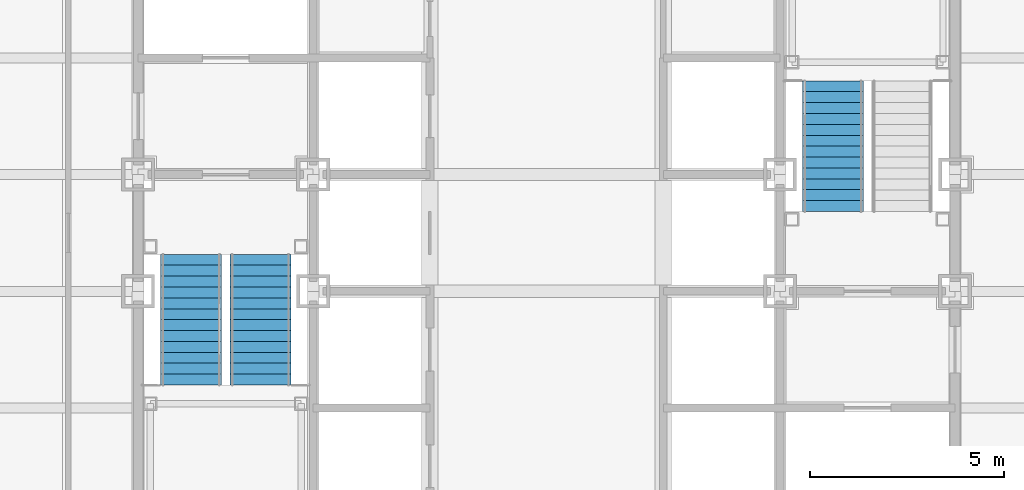
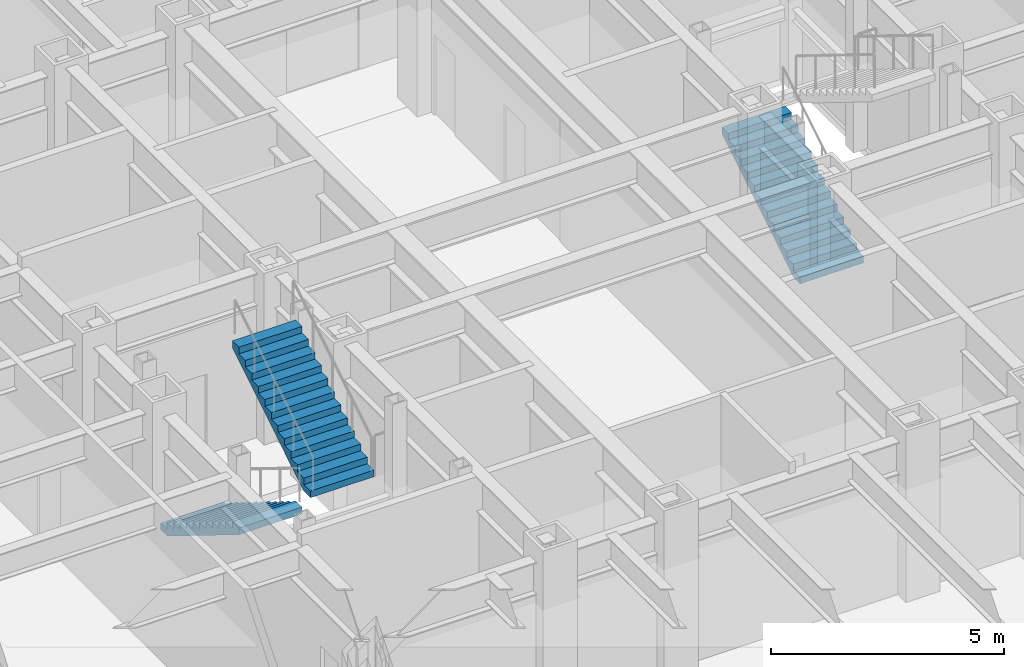
# One storey, part 12 of 16: 3 stair flights, 2 elements without a shape of their own.
"""IFC4 building model written with IfcOpenShell, lengths in metres."""

from ifc_helpers import new_model, si_unit, direction, frame, origin, place, context, subcontext, project, spatial, faceted_brep, material, type_object, element, aggregate, save


model = new_model("IFC4")

# Units and contexts
model_context = context("Model", 3, precision=1e-05, world=origin(), true_north=direction((0.0, 1.0)))
body_context = subcontext(model_context, "Body", "Model", "MODEL_VIEW")
ifc_project = project(units=[si_unit("LENGTHUNIT", "METRE"), si_unit("AREAUNIT", "SQUARE_METRE"), si_unit("VOLUMEUNIT", "CUBIC_METRE"), si_unit("PLANEANGLEUNIT", "RADIAN"), si_unit("MASSUNIT", "GRAM", prefix="KILO")], contexts=[model_context])

# Site, building, storey
site_placement = place(None, origin())
site = spatial("IfcSite", under=ifc_project, at=site_placement, CompositionType="ELEMENT")
building_placement = place(site_placement, origin())
building = spatial("IfcBuilding", under=site, at=building_placement, Name="Chuquiago Exchange Tower", CompositionType="ELEMENT")
storey_placement = place(building_placement, frame((0.0, 0.0, 28.800048828125)))
storey = spatial("IfcBuildingStorey", under=building, at=storey_placement, Name="L05", CompositionType="ELEMENT", Elevation=28.800048828125)

# Stair, stair flights
ifc_material_1 = material(Name="Concrete C30/37, precast", Category="concrete")
stair_type_1 = type_object("IfcStairType", Name="ST1 half-turn stair 4500", PredefinedType="HALF_TURN_STAIR", material=ifc_material_1)
stair_1_placement = place(storey_placement, origin())
stair_1 = element("IfcStair", 1, at=stair_1_placement, inside=storey, type_object=stair_type_1, Name="Stair ST1 L05", PredefinedType="HALF_TURN_STAIR")
ifc_material_2 = material(Name="Concrete C30/37, precast", Category="concrete")
stair_flight_type = type_object("IfcStairFlightType", Name="ST-F flight 1570 for 4500 storey", PredefinedType="STRAIGHT", material=ifc_material_2)
stair_flight_1_placement = place(storey_placement, frame((13.360107421875, 21.949951171875, 0.0), z_axis=(0.0, 0.0, 1.0), x_axis=(0.0, -1.0, 0.0)))
stair_flight_1 = element("IfcStairFlight", 2, at=stair_flight_1_placement, type_object=stair_flight_type, Name="ST1 flight 1", NumberOfRisers=13, NumberOfTreads=12, PredefinedType="STRAIGHT", RiserHeight=0.173076923, TreadLength=0.28, context=body_context, shape_type="Brep", body=[
    faceted_brep([(0.0, 0.78515625, 0.0), (0.0, 0.78515625, 0.173095703125), (0.280029296875, 0.78515625, 0.173095703125), (0.280029296875, 0.78515625, 0.34619140625), (0.56005859375, 0.78515625, 0.34619140625), (0.56005859375, 0.78515625, 0.519287109375), (0.840087890625, 0.78515625, 0.519287109375), (0.840087890625, 0.78515625, 0.6923828125), (1.1201171875, 0.78515625, 0.6923828125), (1.1201171875, 0.78515625, 0.865478515625), (1.39990234375, 0.78515625, 0.865478515625), (1.39990234375, 0.78515625, 1.03857421875), (1.679931640625, 0.78515625, 1.03857421875), (1.679931640625, 0.78515625, 1.21142578125), (1.9599609375, 0.78515625, 1.21142578125), (1.9599609375, 0.78515625, 1.384521484375), (2.239990234375, 0.78515625, 1.384521484375), (2.239990234375, 0.78515625, 1.5576171875), (2.52001953125, 0.78515625, 1.5576171875), (2.52001953125, 0.78515625, 1.730712890625), (2.800048828125, 0.78515625, 1.730712890625), (2.800048828125, 0.78515625, 1.90380859375), (3.080078125, 0.78515625, 1.90380859375), (3.080078125, 0.78515625, 2.076904296875), (3.360107421875, 0.78515625, 2.076904296875), (3.360107421875, 0.78515625, 1.900634765625), (0.28515625, 0.78515625, 0.0), (0.28515625, -0.78515625, 0.0), (3.360107421875, -0.78515625, 1.900634765625), (3.360107421875, -0.78515625, 2.076904296875), (3.080078125, -0.78515625, 2.076904296875), (3.080078125, -0.78515625, 1.90380859375), (2.800048828125, -0.78515625, 1.90380859375), (2.800048828125, -0.78515625, 1.730712890625), (2.52001953125, -0.78515625, 1.730712890625), (2.52001953125, -0.78515625, 1.5576171875), (2.239990234375, -0.78515625, 1.5576171875), (2.239990234375, -0.78515625, 1.384521484375), (1.9599609375, -0.78515625, 1.384521484375), (1.9599609375, -0.78515625, 1.21142578125), (1.679931640625, -0.78515625, 1.21142578125), (1.679931640625, -0.78515625, 1.03857421875), (1.39990234375, -0.78515625, 1.03857421875), (1.39990234375, -0.78515625, 0.865478515625), (1.1201171875, -0.78515625, 0.865478515625), (1.1201171875, -0.78515625, 0.6923828125), (0.840087890625, -0.78515625, 0.6923828125), (0.840087890625, -0.78515625, 0.519287109375), (0.56005859375, -0.78515625, 0.519287109375), (0.56005859375, -0.78515625, 0.34619140625), (0.280029296875, -0.78515625, 0.34619140625), (0.280029296875, -0.78515625, 0.173095703125), (0.0, -0.78515625, 0.173095703125), (0.0, -0.78515625, 0.0), (0.0, 0.392578125, 0.0), (0.0, 0.392578125, 0.173095703125), (0.0, 0.0, 0.0), (0.0, 0.0, 0.173095703125), (0.0, -0.392578125, 0.0), (0.0, -0.392578125, 0.173095703125), (0.280029296875, 0.392578125, 0.173095703125), (0.280029296875, 0.0, 0.173095703125), (0.280029296875, -0.392578125, 0.173095703125), (0.280029296875, 0.392578125, 0.34619140625), (0.280029296875, 0.0, 0.34619140625), (0.280029296875, -0.392578125, 0.34619140625), (0.56005859375, 0.392578125, 0.34619140625), (0.56005859375, 0.0, 0.34619140625), (0.56005859375, -0.392578125, 0.34619140625), (0.56005859375, 0.392578125, 0.519287109375), (0.56005859375, 0.0, 0.519287109375), (0.56005859375, -0.392578125, 0.519287109375), (0.840087890625, 0.392578125, 0.519287109375), (0.840087890625, 0.0, 0.519287109375), (0.840087890625, -0.392578125, 0.519287109375), (0.840087890625, 0.392578125, 0.6923828125), (0.840087890625, 0.0, 0.6923828125), (0.840087890625, -0.392578125, 0.6923828125), (1.1201171875, 0.392578125, 0.6923828125), (1.1201171875, 0.0, 0.6923828125), (1.1201171875, -0.392578125, 0.6923828125), (1.1201171875, 0.392578125, 0.865478515625), (1.1201171875, 0.0, 0.865478515625), (1.1201171875, -0.392578125, 0.865478515625), (1.39990234375, 0.392578125, 0.865478515625), (1.39990234375, 0.0, 0.865478515625), (1.39990234375, -0.392578125, 0.865478515625), (1.39990234375, 0.392578125, 1.03857421875), (1.39990234375, 0.0, 1.03857421875), (1.39990234375, -0.392578125, 1.03857421875), (1.679931640625, 0.392578125, 1.03857421875), (1.679931640625, 0.0, 1.03857421875), (1.679931640625, -0.392578125, 1.03857421875), (1.679931640625, 0.392578125, 1.21142578125), (1.679931640625, 0.0, 1.21142578125), (1.679931640625, -0.392578125, 1.21142578125), (1.9599609375, 0.392578125, 1.21142578125), (1.9599609375, 0.0, 1.21142578125), (1.9599609375, -0.392578125, 1.21142578125), (1.9599609375, 0.392578125, 1.384521484375), (1.9599609375, 0.0, 1.384521484375), (1.9599609375, -0.392578125, 1.384521484375), (2.239990234375, 0.392578125, 1.384521484375), (2.239990234375, 0.0, 1.384521484375), (2.239990234375, -0.392578125, 1.384521484375), (2.239990234375, 0.392578125, 1.5576171875), (2.239990234375, 0.0, 1.5576171875), (2.239990234375, -0.392578125, 1.5576171875), (2.52001953125, 0.392578125, 1.5576171875), (2.52001953125, 0.0, 1.5576171875), (2.52001953125, -0.392578125, 1.5576171875), (2.52001953125, 0.392578125, 1.730712890625), (2.52001953125, 0.0, 1.730712890625), (2.52001953125, -0.392578125, 1.730712890625), (2.800048828125, 0.392578125, 1.730712890625), (2.800048828125, 0.0, 1.730712890625), (2.800048828125, -0.392578125, 1.730712890625), (2.800048828125, 0.392578125, 1.90380859375), (2.800048828125, 0.0, 1.90380859375), (2.800048828125, -0.392578125, 1.90380859375), (3.080078125, 0.392578125, 1.90380859375), (3.080078125, 0.0, 1.90380859375), (3.080078125, -0.392578125, 1.90380859375), (3.080078125, 0.392578125, 2.076904296875), (3.080078125, 0.0, 2.076904296875), (3.080078125, -0.392578125, 2.076904296875), (3.360107421875, 0.392578125, 2.076904296875), (3.360107421875, 0.0, 2.076904296875), (3.360107421875, -0.392578125, 2.076904296875), (3.360107421875, 0.392578125, 1.900634765625), (3.360107421875, 0.0, 1.900634765625), (3.360107421875, -0.392578125, 1.900634765625), (0.28515625, 0.392578125, 0.0), (0.28515625, 0.0, 0.0), (0.28515625, -0.392578125, 0.0)], [[[0, 1, 2, 3, 4, 5, 6, 7, 8, 9, 10, 11, 12, 13, 14, 15, 16, 17, 18, 19, 20, 21, 22, 23, 24, 25, 26]], [[27, 28, 29, 30, 31, 32, 33, 34, 35, 36, 37, 38, 39, 40, 41, 42, 43, 44, 45, 46, 47, 48, 49, 50, 51, 52, 53]], [[1, 0, 54, 55]], [[55, 54, 56, 57]], [[57, 56, 58, 59]], [[59, 58, 53, 52]], [[2, 1, 55, 60]], [[60, 55, 57, 61]], [[61, 57, 59, 62]], [[62, 59, 52, 51]], [[3, 2, 60, 63]], [[63, 60, 61, 64]], [[64, 61, 62, 65]], [[65, 62, 51, 50]], [[4, 3, 63, 66]], [[66, 63, 64, 67]], [[67, 64, 65, 68]], [[68, 65, 50, 49]], [[5, 4, 66, 69]], [[69, 66, 67, 70]], [[70, 67, 68, 71]], [[71, 68, 49, 48]], [[6, 5, 69, 72]], [[72, 69, 70, 73]], [[73, 70, 71, 74]], [[74, 71, 48, 47]], [[7, 6, 72, 75]], [[75, 72, 73, 76]], [[76, 73, 74, 77]], [[77, 74, 47, 46]], [[8, 7, 75, 78]], [[78, 75, 76, 79]], [[79, 76, 77, 80]], [[80, 77, 46, 45]], [[9, 8, 78, 81]], [[81, 78, 79, 82]], [[82, 79, 80, 83]], [[83, 80, 45, 44]], [[10, 9, 81, 84]], [[84, 81, 82, 85]], [[85, 82, 83, 86]], [[86, 83, 44, 43]], [[11, 10, 84, 87]], [[87, 84, 85, 88]], [[88, 85, 86, 89]], [[89, 86, 43, 42]], [[12, 11, 87, 90]], [[90, 87, 88, 91]], [[91, 88, 89, 92]], [[92, 89, 42, 41]], [[13, 12, 90, 93]], [[93, 90, 91, 94]], [[94, 91, 92, 95]], [[95, 92, 41, 40]], [[14, 13, 93, 96]], [[96, 93, 94, 97]], [[97, 94, 95, 98]], [[98, 95, 40, 39]], [[15, 14, 96, 99]], [[99, 96, 97, 100]], [[100, 97, 98, 101]], [[101, 98, 39, 38]], [[16, 15, 99, 102]], [[102, 99, 100, 103]], [[103, 100, 101, 104]], [[104, 101, 38, 37]], [[17, 16, 102, 105]], [[105, 102, 103, 106]], [[106, 103, 104, 107]], [[107, 104, 37, 36]], [[18, 17, 105, 108]], [[108, 105, 106, 109]], [[109, 106, 107, 110]], [[110, 107, 36, 35]], [[19, 18, 108, 111]], [[111, 108, 109, 112]], [[112, 109, 110, 113]], [[113, 110, 35, 34]], [[20, 19, 111, 114]], [[114, 111, 112, 115]], [[115, 112, 113, 116]], [[116, 113, 34, 33]], [[21, 20, 114, 117]], [[117, 114, 115, 118]], [[118, 115, 116, 119]], [[119, 116, 33, 32]], [[22, 21, 117, 120]], [[120, 117, 118, 121]], [[121, 118, 119, 122]], [[122, 119, 32, 31]], [[23, 22, 120, 123]], [[123, 120, 121, 124]], [[124, 121, 122, 125]], [[125, 122, 31, 30]], [[24, 23, 123, 126]], [[126, 123, 124, 127]], [[127, 124, 125, 128]], [[128, 125, 30, 29]], [[25, 24, 126, 129]], [[129, 126, 127, 130]], [[130, 127, 128, 131]], [[131, 128, 29, 28]], [[26, 25, 129, 132]], [[132, 129, 130, 133]], [[133, 130, 131, 134]], [[134, 131, 28, 27]], [[0, 26, 132, 54]], [[54, 132, 133, 56]], [[56, 133, 134, 58]], [[58, 134, 27, 53]]]),
])
stair_flight_2_placement = place(storey_placement, frame((15.139892578125, 18.590087890625, 2.25), z_axis=(0.0, 0.0, 1.0), x_axis=(0.0, 1.0, 0.0)))
stair_flight_2 = element("IfcStairFlight", 3, at=stair_flight_2_placement, type_object=stair_flight_type, Name="ST1 flight 2", NumberOfRisers=13, NumberOfTreads=12, PredefinedType="STRAIGHT", RiserHeight=0.173076923, TreadLength=0.28, context=body_context, shape_type="Brep", body=[
    faceted_brep([(0.0, 0.78515625, 0.0), (0.0, 0.78515625, 0.173095703125), (0.280029296875, 0.78515625, 0.173095703125), (0.280029296875, 0.78515625, 0.34619140625), (0.56005859375, 0.78515625, 0.34619140625), (0.56005859375, 0.78515625, 0.519287109375), (0.840087890625, 0.78515625, 0.519287109375), (0.840087890625, 0.78515625, 0.6923828125), (1.1201171875, 0.78515625, 0.6923828125), (1.1201171875, 0.78515625, 0.865478515625), (1.39990234375, 0.78515625, 0.865478515625), (1.39990234375, 0.78515625, 1.03857421875), (1.679931640625, 0.78515625, 1.03857421875), (1.679931640625, 0.78515625, 1.21142578125), (1.9599609375, 0.78515625, 1.21142578125), (1.9599609375, 0.78515625, 1.384521484375), (2.239990234375, 0.78515625, 1.384521484375), (2.239990234375, 0.78515625, 1.5576171875), (2.52001953125, 0.78515625, 1.5576171875), (2.52001953125, 0.78515625, 1.730712890625), (2.800048828125, 0.78515625, 1.730712890625), (2.800048828125, 0.78515625, 1.90380859375), (3.080078125, 0.78515625, 1.90380859375), (3.080078125, 0.78515625, 2.076904296875), (3.360107421875, 0.78515625, 2.076904296875), (3.360107421875, 0.78515625, 1.900634765625), (0.28515625, 0.78515625, 0.0), (0.28515625, -0.78515625, 0.0), (3.360107421875, -0.78515625, 1.900634765625), (3.360107421875, -0.78515625, 2.076904296875), (3.080078125, -0.78515625, 2.076904296875), (3.080078125, -0.78515625, 1.90380859375), (2.800048828125, -0.78515625, 1.90380859375), (2.800048828125, -0.78515625, 1.730712890625), (2.52001953125, -0.78515625, 1.730712890625), (2.52001953125, -0.78515625, 1.5576171875), (2.239990234375, -0.78515625, 1.5576171875), (2.239990234375, -0.78515625, 1.384521484375), (1.9599609375, -0.78515625, 1.384521484375), (1.9599609375, -0.78515625, 1.21142578125), (1.679931640625, -0.78515625, 1.21142578125), (1.679931640625, -0.78515625, 1.03857421875), (1.39990234375, -0.78515625, 1.03857421875), (1.39990234375, -0.78515625, 0.865478515625), (1.1201171875, -0.78515625, 0.865478515625), (1.1201171875, -0.78515625, 0.6923828125), (0.840087890625, -0.78515625, 0.6923828125), (0.840087890625, -0.78515625, 0.519287109375), (0.56005859375, -0.78515625, 0.519287109375), (0.56005859375, -0.78515625, 0.34619140625), (0.280029296875, -0.78515625, 0.34619140625), (0.280029296875, -0.78515625, 0.173095703125), (0.0, -0.78515625, 0.173095703125), (0.0, -0.78515625, 0.0), (0.0, 0.392578125, 0.0), (0.0, 0.392578125, 0.173095703125), (0.0, 0.0, 0.0), (0.0, 0.0, 0.173095703125), (0.0, -0.392578125, 0.0), (0.0, -0.392578125, 0.173095703125), (0.280029296875, 0.392578125, 0.173095703125), (0.280029296875, 0.0, 0.173095703125), (0.280029296875, -0.392578125, 0.173095703125), (0.280029296875, 0.392578125, 0.34619140625), (0.280029296875, 0.0, 0.34619140625), (0.280029296875, -0.392578125, 0.34619140625), (0.56005859375, 0.392578125, 0.34619140625), (0.56005859375, 0.0, 0.34619140625), (0.56005859375, -0.392578125, 0.34619140625), (0.56005859375, 0.392578125, 0.519287109375), (0.56005859375, 0.0, 0.519287109375), (0.56005859375, -0.392578125, 0.519287109375), (0.840087890625, 0.392578125, 0.519287109375), (0.840087890625, 0.0, 0.519287109375), (0.840087890625, -0.392578125, 0.519287109375), (0.840087890625, 0.392578125, 0.6923828125), (0.840087890625, 0.0, 0.6923828125), (0.840087890625, -0.392578125, 0.6923828125), (1.1201171875, 0.392578125, 0.6923828125), (1.1201171875, 0.0, 0.6923828125), (1.1201171875, -0.392578125, 0.6923828125), (1.1201171875, 0.392578125, 0.865478515625), (1.1201171875, 0.0, 0.865478515625), (1.1201171875, -0.392578125, 0.865478515625), (1.39990234375, 0.392578125, 0.865478515625), (1.39990234375, 0.0, 0.865478515625), (1.39990234375, -0.392578125, 0.865478515625), (1.39990234375, 0.392578125, 1.03857421875), (1.39990234375, 0.0, 1.03857421875), (1.39990234375, -0.392578125, 1.03857421875), (1.679931640625, 0.392578125, 1.03857421875), (1.679931640625, 0.0, 1.03857421875), (1.679931640625, -0.392578125, 1.03857421875), (1.679931640625, 0.392578125, 1.21142578125), (1.679931640625, 0.0, 1.21142578125), (1.679931640625, -0.392578125, 1.21142578125), (1.9599609375, 0.392578125, 1.21142578125), (1.9599609375, 0.0, 1.21142578125), (1.9599609375, -0.392578125, 1.21142578125), (1.9599609375, 0.392578125, 1.384521484375), (1.9599609375, 0.0, 1.384521484375), (1.9599609375, -0.392578125, 1.384521484375), (2.239990234375, 0.392578125, 1.384521484375), (2.239990234375, 0.0, 1.384521484375), (2.239990234375, -0.392578125, 1.384521484375), (2.239990234375, 0.392578125, 1.5576171875), (2.239990234375, 0.0, 1.5576171875), (2.239990234375, -0.392578125, 1.5576171875), (2.52001953125, 0.392578125, 1.5576171875), (2.52001953125, 0.0, 1.5576171875), (2.52001953125, -0.392578125, 1.5576171875), (2.52001953125, 0.392578125, 1.730712890625), (2.52001953125, 0.0, 1.730712890625), (2.52001953125, -0.392578125, 1.730712890625), (2.800048828125, 0.392578125, 1.730712890625), (2.800048828125, 0.0, 1.730712890625), (2.800048828125, -0.392578125, 1.730712890625), (2.800048828125, 0.392578125, 1.90380859375), (2.800048828125, 0.0, 1.90380859375), (2.800048828125, -0.392578125, 1.90380859375), (3.080078125, 0.392578125, 1.90380859375), (3.080078125, 0.0, 1.90380859375), (3.080078125, -0.392578125, 1.90380859375), (3.080078125, 0.392578125, 2.076904296875), (3.080078125, 0.0, 2.076904296875), (3.080078125, -0.392578125, 2.076904296875), (3.360107421875, 0.392578125, 2.076904296875), (3.360107421875, 0.0, 2.076904296875), (3.360107421875, -0.392578125, 2.076904296875), (3.360107421875, 0.392578125, 1.900634765625), (3.360107421875, 0.0, 1.900634765625), (3.360107421875, -0.392578125, 1.900634765625), (0.28515625, 0.392578125, 0.0), (0.28515625, 0.0, 0.0), (0.28515625, -0.392578125, 0.0)], [[[0, 1, 2, 3, 4, 5, 6, 7, 8, 9, 10, 11, 12, 13, 14, 15, 16, 17, 18, 19, 20, 21, 22, 23, 24, 25, 26]], [[27, 28, 29, 30, 31, 32, 33, 34, 35, 36, 37, 38, 39, 40, 41, 42, 43, 44, 45, 46, 47, 48, 49, 50, 51, 52, 53]], [[1, 0, 54, 55]], [[55, 54, 56, 57]], [[57, 56, 58, 59]], [[59, 58, 53, 52]], [[2, 1, 55, 60]], [[60, 55, 57, 61]], [[61, 57, 59, 62]], [[62, 59, 52, 51]], [[3, 2, 60, 63]], [[63, 60, 61, 64]], [[64, 61, 62, 65]], [[65, 62, 51, 50]], [[4, 3, 63, 66]], [[66, 63, 64, 67]], [[67, 64, 65, 68]], [[68, 65, 50, 49]], [[5, 4, 66, 69]], [[69, 66, 67, 70]], [[70, 67, 68, 71]], [[71, 68, 49, 48]], [[6, 5, 69, 72]], [[72, 69, 70, 73]], [[73, 70, 71, 74]], [[74, 71, 48, 47]], [[7, 6, 72, 75]], [[75, 72, 73, 76]], [[76, 73, 74, 77]], [[77, 74, 47, 46]], [[8, 7, 75, 78]], [[78, 75, 76, 79]], [[79, 76, 77, 80]], [[80, 77, 46, 45]], [[9, 8, 78, 81]], [[81, 78, 79, 82]], [[82, 79, 80, 83]], [[83, 80, 45, 44]], [[10, 9, 81, 84]], [[84, 81, 82, 85]], [[85, 82, 83, 86]], [[86, 83, 44, 43]], [[11, 10, 84, 87]], [[87, 84, 85, 88]], [[88, 85, 86, 89]], [[89, 86, 43, 42]], [[12, 11, 87, 90]], [[90, 87, 88, 91]], [[91, 88, 89, 92]], [[92, 89, 42, 41]], [[13, 12, 90, 93]], [[93, 90, 91, 94]], [[94, 91, 92, 95]], [[95, 92, 41, 40]], [[14, 13, 93, 96]], [[96, 93, 94, 97]], [[97, 94, 95, 98]], [[98, 95, 40, 39]], [[15, 14, 96, 99]], [[99, 96, 97, 100]], [[100, 97, 98, 101]], [[101, 98, 39, 38]], [[16, 15, 99, 102]], [[102, 99, 100, 103]], [[103, 100, 101, 104]], [[104, 101, 38, 37]], [[17, 16, 102, 105]], [[105, 102, 103, 106]], [[106, 103, 104, 107]], [[107, 104, 37, 36]], [[18, 17, 105, 108]], [[108, 105, 106, 109]], [[109, 106, 107, 110]], [[110, 107, 36, 35]], [[19, 18, 108, 111]], [[111, 108, 109, 112]], [[112, 109, 110, 113]], [[113, 110, 35, 34]], [[20, 19, 111, 114]], [[114, 111, 112, 115]], [[115, 112, 113, 116]], [[116, 113, 34, 33]], [[21, 20, 114, 117]], [[117, 114, 115, 118]], [[118, 115, 116, 119]], [[119, 116, 33, 32]], [[22, 21, 117, 120]], [[120, 117, 118, 121]], [[121, 118, 119, 122]], [[122, 119, 32, 31]], [[23, 22, 120, 123]], [[123, 120, 121, 124]], [[124, 121, 122, 125]], [[125, 122, 31, 30]], [[24, 23, 123, 126]], [[126, 123, 124, 127]], [[127, 124, 125, 128]], [[128, 125, 30, 29]], [[25, 24, 126, 129]], [[129, 126, 127, 130]], [[130, 127, 128, 131]], [[131, 128, 29, 28]], [[26, 25, 129, 132]], [[132, 129, 130, 133]], [[133, 130, 131, 134]], [[134, 131, 28, 27]], [[0, 26, 132, 54]], [[54, 132, 133, 56]], [[56, 133, 134, 58]], [[58, 134, 27, 53]]]),
])
aggregate(stair_1, [stair_flight_1, stair_flight_2])

# Stair, stair flight
ifc_material_3 = material(Name="Concrete C30/37, precast", Category="concrete")
stair_type_2 = type_object("IfcStairType", Name="ST2 half-turn stair 4500", PredefinedType="HALF_TURN_STAIR", material=ifc_material_3)
stair_2_placement = place(storey_placement, origin())
stair_2 = element("IfcStair", 4, at=stair_2_placement, inside=storey, type_object=stair_type_2, Name="Stair ST2 L05", PredefinedType="HALF_TURN_STAIR")
stair_flight_3_placement = place(storey_placement, frame((29.860107421875, 23.050048828125, 0.0), z_axis=(0.0, 0.0, 1.0), x_axis=(0.0, 1.0, 0.0)))
stair_flight_3 = element("IfcStairFlight", 5, at=stair_flight_3_placement, type_object=stair_flight_type, Name="ST2 flight 1", NumberOfRisers=13, NumberOfTreads=12, PredefinedType="STRAIGHT", RiserHeight=0.173076923, TreadLength=0.28, context=body_context, shape_type="Brep", body=[
    faceted_brep([(0.0, 0.78515625, 0.0), (0.0, 0.78515625, 0.173095703125), (0.280029296875, 0.78515625, 0.173095703125), (0.280029296875, 0.78515625, 0.34619140625), (0.56005859375, 0.78515625, 0.34619140625), (0.56005859375, 0.78515625, 0.519287109375), (0.840087890625, 0.78515625, 0.519287109375), (0.840087890625, 0.78515625, 0.6923828125), (1.1201171875, 0.78515625, 0.6923828125), (1.1201171875, 0.78515625, 0.865478515625), (1.39990234375, 0.78515625, 0.865478515625), (1.39990234375, 0.78515625, 1.03857421875), (1.679931640625, 0.78515625, 1.03857421875), (1.679931640625, 0.78515625, 1.21142578125), (1.9599609375, 0.78515625, 1.21142578125), (1.9599609375, 0.78515625, 1.384521484375), (2.239990234375, 0.78515625, 1.384521484375), (2.239990234375, 0.78515625, 1.5576171875), (2.52001953125, 0.78515625, 1.5576171875), (2.52001953125, 0.78515625, 1.730712890625), (2.800048828125, 0.78515625, 1.730712890625), (2.800048828125, 0.78515625, 1.90380859375), (3.080078125, 0.78515625, 1.90380859375), (3.080078125, 0.78515625, 2.076904296875), (3.360107421875, 0.78515625, 2.076904296875), (3.360107421875, 0.78515625, 1.900634765625), (0.28515625, 0.78515625, 0.0), (0.28515625, -0.78515625, 0.0), (3.360107421875, -0.78515625, 1.900634765625), (3.360107421875, -0.78515625, 2.076904296875), (3.080078125, -0.78515625, 2.076904296875), (3.080078125, -0.78515625, 1.90380859375), (2.800048828125, -0.78515625, 1.90380859375), (2.800048828125, -0.78515625, 1.730712890625), (2.52001953125, -0.78515625, 1.730712890625), (2.52001953125, -0.78515625, 1.5576171875), (2.239990234375, -0.78515625, 1.5576171875), (2.239990234375, -0.78515625, 1.384521484375), (1.9599609375, -0.78515625, 1.384521484375), (1.9599609375, -0.78515625, 1.21142578125), (1.679931640625, -0.78515625, 1.21142578125), (1.679931640625, -0.78515625, 1.03857421875), (1.39990234375, -0.78515625, 1.03857421875), (1.39990234375, -0.78515625, 0.865478515625), (1.1201171875, -0.78515625, 0.865478515625), (1.1201171875, -0.78515625, 0.6923828125), (0.840087890625, -0.78515625, 0.6923828125), (0.840087890625, -0.78515625, 0.519287109375), (0.56005859375, -0.78515625, 0.519287109375), (0.56005859375, -0.78515625, 0.34619140625), (0.280029296875, -0.78515625, 0.34619140625), (0.280029296875, -0.78515625, 0.173095703125), (0.0, -0.78515625, 0.173095703125), (0.0, -0.78515625, 0.0), (0.0, 0.392578125, 0.0), (0.0, 0.392578125, 0.173095703125), (0.0, 0.0, 0.0), (0.0, 0.0, 0.173095703125), (0.0, -0.392578125, 0.0), (0.0, -0.392578125, 0.173095703125), (0.280029296875, 0.392578125, 0.173095703125), (0.280029296875, 0.0, 0.173095703125), (0.280029296875, -0.392578125, 0.173095703125), (0.280029296875, 0.392578125, 0.34619140625), (0.280029296875, 0.0, 0.34619140625), (0.280029296875, -0.392578125, 0.34619140625), (0.56005859375, 0.392578125, 0.34619140625), (0.56005859375, 0.0, 0.34619140625), (0.56005859375, -0.392578125, 0.34619140625), (0.56005859375, 0.392578125, 0.519287109375), (0.56005859375, 0.0, 0.519287109375), (0.56005859375, -0.392578125, 0.519287109375), (0.840087890625, 0.392578125, 0.519287109375), (0.840087890625, 0.0, 0.519287109375), (0.840087890625, -0.392578125, 0.519287109375), (0.840087890625, 0.392578125, 0.6923828125), (0.840087890625, 0.0, 0.6923828125), (0.840087890625, -0.392578125, 0.6923828125), (1.1201171875, 0.392578125, 0.6923828125), (1.1201171875, 0.0, 0.6923828125), (1.1201171875, -0.392578125, 0.6923828125), (1.1201171875, 0.392578125, 0.865478515625), (1.1201171875, 0.0, 0.865478515625), (1.1201171875, -0.392578125, 0.865478515625), (1.39990234375, 0.392578125, 0.865478515625), (1.39990234375, 0.0, 0.865478515625), (1.39990234375, -0.392578125, 0.865478515625), (1.39990234375, 0.392578125, 1.03857421875), (1.39990234375, 0.0, 1.03857421875), (1.39990234375, -0.392578125, 1.03857421875), (1.679931640625, 0.392578125, 1.03857421875), (1.679931640625, 0.0, 1.03857421875), (1.679931640625, -0.392578125, 1.03857421875), (1.679931640625, 0.392578125, 1.21142578125), (1.679931640625, 0.0, 1.21142578125), (1.679931640625, -0.392578125, 1.21142578125), (1.9599609375, 0.392578125, 1.21142578125), (1.9599609375, 0.0, 1.21142578125), (1.9599609375, -0.392578125, 1.21142578125), (1.9599609375, 0.392578125, 1.384521484375), (1.9599609375, 0.0, 1.384521484375), (1.9599609375, -0.392578125, 1.384521484375), (2.239990234375, 0.392578125, 1.384521484375), (2.239990234375, 0.0, 1.384521484375), (2.239990234375, -0.392578125, 1.384521484375), (2.239990234375, 0.392578125, 1.5576171875), (2.239990234375, 0.0, 1.5576171875), (2.239990234375, -0.392578125, 1.5576171875), (2.52001953125, 0.392578125, 1.5576171875), (2.52001953125, 0.0, 1.5576171875), (2.52001953125, -0.392578125, 1.5576171875), (2.52001953125, 0.392578125, 1.730712890625), (2.52001953125, 0.0, 1.730712890625), (2.52001953125, -0.392578125, 1.730712890625), (2.800048828125, 0.392578125, 1.730712890625), (2.800048828125, 0.0, 1.730712890625), (2.800048828125, -0.392578125, 1.730712890625), (2.800048828125, 0.392578125, 1.90380859375), (2.800048828125, 0.0, 1.90380859375), (2.800048828125, -0.392578125, 1.90380859375), (3.080078125, 0.392578125, 1.90380859375), (3.080078125, 0.0, 1.90380859375), (3.080078125, -0.392578125, 1.90380859375), (3.080078125, 0.392578125, 2.076904296875), (3.080078125, 0.0, 2.076904296875), (3.080078125, -0.392578125, 2.076904296875), (3.360107421875, 0.392578125, 2.076904296875), (3.360107421875, 0.0, 2.076904296875), (3.360107421875, -0.392578125, 2.076904296875), (3.360107421875, 0.392578125, 1.900634765625), (3.360107421875, 0.0, 1.900634765625), (3.360107421875, -0.392578125, 1.900634765625), (0.28515625, 0.392578125, 0.0), (0.28515625, 0.0, 0.0), (0.28515625, -0.392578125, 0.0)], [[[0, 1, 2, 3, 4, 5, 6, 7, 8, 9, 10, 11, 12, 13, 14, 15, 16, 17, 18, 19, 20, 21, 22, 23, 24, 25, 26]], [[27, 28, 29, 30, 31, 32, 33, 34, 35, 36, 37, 38, 39, 40, 41, 42, 43, 44, 45, 46, 47, 48, 49, 50, 51, 52, 53]], [[1, 0, 54, 55]], [[55, 54, 56, 57]], [[57, 56, 58, 59]], [[59, 58, 53, 52]], [[2, 1, 55, 60]], [[60, 55, 57, 61]], [[61, 57, 59, 62]], [[62, 59, 52, 51]], [[3, 2, 60, 63]], [[63, 60, 61, 64]], [[64, 61, 62, 65]], [[65, 62, 51, 50]], [[4, 3, 63, 66]], [[66, 63, 64, 67]], [[67, 64, 65, 68]], [[68, 65, 50, 49]], [[5, 4, 66, 69]], [[69, 66, 67, 70]], [[70, 67, 68, 71]], [[71, 68, 49, 48]], [[6, 5, 69, 72]], [[72, 69, 70, 73]], [[73, 70, 71, 74]], [[74, 71, 48, 47]], [[7, 6, 72, 75]], [[75, 72, 73, 76]], [[76, 73, 74, 77]], [[77, 74, 47, 46]], [[8, 7, 75, 78]], [[78, 75, 76, 79]], [[79, 76, 77, 80]], [[80, 77, 46, 45]], [[9, 8, 78, 81]], [[81, 78, 79, 82]], [[82, 79, 80, 83]], [[83, 80, 45, 44]], [[10, 9, 81, 84]], [[84, 81, 82, 85]], [[85, 82, 83, 86]], [[86, 83, 44, 43]], [[11, 10, 84, 87]], [[87, 84, 85, 88]], [[88, 85, 86, 89]], [[89, 86, 43, 42]], [[12, 11, 87, 90]], [[90, 87, 88, 91]], [[91, 88, 89, 92]], [[92, 89, 42, 41]], [[13, 12, 90, 93]], [[93, 90, 91, 94]], [[94, 91, 92, 95]], [[95, 92, 41, 40]], [[14, 13, 93, 96]], [[96, 93, 94, 97]], [[97, 94, 95, 98]], [[98, 95, 40, 39]], [[15, 14, 96, 99]], [[99, 96, 97, 100]], [[100, 97, 98, 101]], [[101, 98, 39, 38]], [[16, 15, 99, 102]], [[102, 99, 100, 103]], [[103, 100, 101, 104]], [[104, 101, 38, 37]], [[17, 16, 102, 105]], [[105, 102, 103, 106]], [[106, 103, 104, 107]], [[107, 104, 37, 36]], [[18, 17, 105, 108]], [[108, 105, 106, 109]], [[109, 106, 107, 110]], [[110, 107, 36, 35]], [[19, 18, 108, 111]], [[111, 108, 109, 112]], [[112, 109, 110, 113]], [[113, 110, 35, 34]], [[20, 19, 111, 114]], [[114, 111, 112, 115]], [[115, 112, 113, 116]], [[116, 113, 34, 33]], [[21, 20, 114, 117]], [[117, 114, 115, 118]], [[118, 115, 116, 119]], [[119, 116, 33, 32]], [[22, 21, 117, 120]], [[120, 117, 118, 121]], [[121, 118, 119, 122]], [[122, 119, 32, 31]], [[23, 22, 120, 123]], [[123, 120, 121, 124]], [[124, 121, 122, 125]], [[125, 122, 31, 30]], [[24, 23, 123, 126]], [[126, 123, 124, 127]], [[127, 124, 125, 128]], [[128, 125, 30, 29]], [[25, 24, 126, 129]], [[129, 126, 127, 130]], [[130, 127, 128, 131]], [[131, 128, 29, 28]], [[26, 25, 129, 132]], [[132, 129, 130, 133]], [[133, 130, 131, 134]], [[134, 131, 28, 27]], [[0, 26, 132, 54]], [[54, 132, 133, 56]], [[56, 133, 134, 58]], [[58, 134, 27, 53]]]),
])
aggregate(stair_2, [stair_flight_3])

save(model, "model.ifc")
